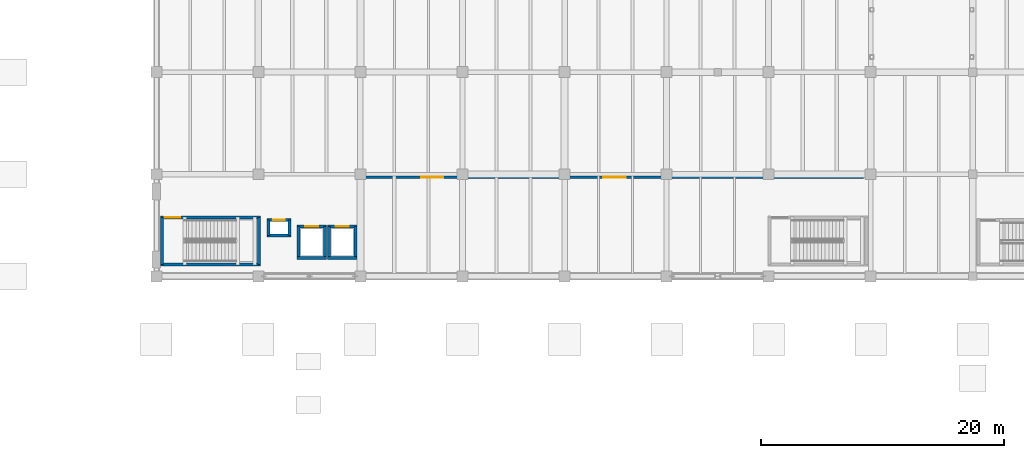
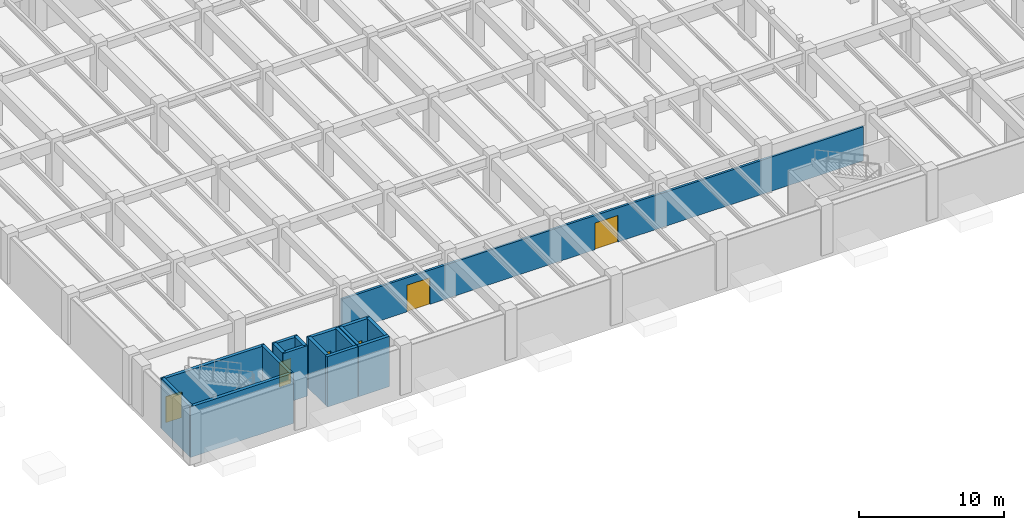
# One storey, part 34 of 63: 17 walls, 6 doors, 6 openings.
"""IFC4 building model written with IfcOpenShell, lengths in metres."""

from ifc_helpers import new_model, si_unit, direction, frame, frame_2d, origin, place, context, subcontext, project, spatial, rectangle, extrude, material, layer, layer_set, type_object, element, fill, save


model = new_model("IFC4")

# Units and contexts
model_context = context("Model", 3, precision=1e-05, world=origin(), true_north=direction((0.0, 1.0)))
body_context = subcontext(model_context, "Body", "Model", "MODEL_VIEW")
ifc_project = project(units=[si_unit("LENGTHUNIT", "METRE"), si_unit("AREAUNIT", "SQUARE_METRE"), si_unit("VOLUMEUNIT", "CUBIC_METRE"), si_unit("PLANEANGLEUNIT", "RADIAN"), si_unit("MASSUNIT", "GRAM", prefix="KILO")], contexts=[model_context])

# Site, building, storey
site_placement = place(None, origin())
site = spatial("IfcSite", under=ifc_project, at=site_placement, CompositionType="ELEMENT")
building_placement = place(site_placement, origin())
building = spatial("IfcBuilding", under=site, at=building_placement, Name="Cumbredor Promenade Congress Hotel", CompositionType="ELEMENT")
storey_placement = place(building_placement, frame((0.0, 0.0, -4.199951171875)))
storey = spatial("IfcBuildingStorey", under=building, at=storey_placement, Name="B01", CompositionType="ELEMENT", Elevation=-4.199951171875)

# Wall, openings, doors
ifc_material_1 = material(Name="Fire-rated hotel corridor wall")
ifc_layer_1 = layer(ifc_material_1, 0.179931640625, Name="Fire-rated hotel corridor wall")
ifc_layer_set_1 = layer_set([ifc_layer_1], Name="Fire-rated hotel corridor wall")
wall_type_1 = type_object("IfcWallType", Name="WL-CORR-180", PredefinedType="PARTITIONING", material=ifc_layer_set_1)
wall_1_placement = place(storey_placement, frame((25.0, 16.550048828125, 0.0), z_axis=(0.0, 0.0, 1.0), x_axis=(1.0, 0.0, 0.0)))
wall_1 = element("IfcWall", 1, at=wall_1_placement, inside=storey, type_object=wall_type_1, Name="B01 Interior Partition W-B01-01", PredefinedType="PARTITIONING", context=body_context, shape_type="SweptSolid", body=[
    extrude(rectangle(XDim=41.60009765625, YDim=0.179931640625, at=frame_2d((20.800048828125, 0.0))), origin(), (0.0, 0.0, 1.0), 2.885009765625),
])
opening_1_placement = place(wall_1_placement, frame((5.199951171875, 0.0, 0.0)))
opening_1 = element("IfcOpeningElement", 2, at=opening_1_placement, cuts=wall_1, Name="Opening FD-10", PredefinedType="OPENING", context=body_context, shape_type="SweptSolid", body=[
    extrude(rectangle(XDim=1.820068359375, YDim=2.25, at=frame_2d((0.91015625, 1.125))), frame((0.0, 0.10009765625, 0.0), z_axis=(0.0, -1.0, 0.0), x_axis=(1.0, 0.0, 0.0)), (0.0, 0.0, 1.0), 0.199951171875),
])
opening_2_placement = place(wall_1_placement, frame((20.199951171875, 0.0, 0.0)))
opening_2 = element("IfcOpeningElement", 3, at=opening_2_placement, cuts=wall_1, Name="Opening FD-10", PredefinedType="OPENING", context=body_context, shape_type="SweptSolid", body=[
    extrude(rectangle(XDim=1.820068359375, YDim=2.25, at=frame_2d((0.91015625, 1.125))), frame((0.0, 0.10009765625, 0.0), z_axis=(0.0, -1.0, 0.0), x_axis=(1.0, 0.0, 0.0)), (0.0, 0.0, 1.0), 0.199951171875),
])
ifc_material_2 = material(Name="Solid-core fire-rated tropical hardwood", Category="wood")
door_type_1 = type_object("IfcDoorType", Name="DR-DBL-FD60-1800", OperationType="DOUBLE_DOOR_SINGLE_SWING", PredefinedType="DOOR", material=ifc_material_2)
door_1_placement = place(opening_1_placement, origin())
door_1 = element("IfcDoor", 4, at=door_1_placement, inside=storey, type_object=door_type_1, Name="B01 Interior Door W-B01-01-01", OperationType="DOUBLE_DOOR_SINGLE_SWING", OverallHeight=2.25, OverallWidth=1.820068359375, PredefinedType="DOOR", context=body_context, shape_type="SweptSolid", body=[
    extrude(rectangle(XDim=1.820068359375, YDim=2.25, at=frame_2d((0.91015625, 1.125))), frame((0.0, 0.02490234375, 0.0), z_axis=(0.0, -1.0, 0.0), x_axis=(1.0, 0.0, 0.0)), (0.0, 0.0, 1.0), 0.050048828125),
])
fill(opening_1, door_1)
door_2_placement = place(opening_2_placement, origin())
door_2 = element("IfcDoor", 5, at=door_2_placement, inside=storey, type_object=door_type_1, Name="B01 Interior Door W-B01-01-02", OperationType="DOUBLE_DOOR_SINGLE_SWING", OverallHeight=2.25, OverallWidth=1.820068359375, PredefinedType="DOOR", context=body_context, shape_type="SweptSolid", body=[
    extrude(rectangle(XDim=1.820068359375, YDim=2.25, at=frame_2d((0.91015625, 1.125))), frame((0.0, 0.02490234375, 0.0), z_axis=(0.0, -1.0, 0.0), x_axis=(1.0, 0.0, 0.0)), (0.0, 0.0, 1.0), 0.050048828125),
])
fill(opening_2, door_2)

# Wall
ifc_material_3 = material(Name="Concrete C40/50", Category="concrete")
ifc_layer_2 = layer(ifc_material_3, 0.2548828125, Name="Concrete C40/50", Category="concrete")
ifc_layer_set_2 = layer_set([ifc_layer_2], Name="Concrete C40/50")
wall_type_2 = type_object("IfcWallType", Name="WL-SHAFT-250", PredefinedType="SOLIDWALL", material=ifc_layer_set_2)
wall_2_placement = place(storey_placement, frame((8.75244140625, 9.3798828125, -0.400146484375), z_axis=(0.0, 0.0, 1.0), x_axis=(1.0, 0.0, 0.0)))
element("IfcWall", 6, at=wall_2_placement, inside=storey, type_object=wall_type_2, Name="STAIR-ST-04-B01 Shaft Wall South", PredefinedType="SOLIDWALL", context=body_context, shape_type="SweptSolid", body=[
    extrude(rectangle(XDim=8.22509765625, YDim=0.2548828125, at=frame_2d((4.112548828125, 0.0))), origin(), (0.0, 0.0, 1.0), 4.25),
])

# Wall, opening, door
wall_3_placement = place(storey_placement, frame((8.75244140625, 13.25, -0.400146484375), z_axis=(0.0, 0.0, 1.0), x_axis=(1.0, 0.0, 0.0)))
wall_3 = element("IfcWall", 7, at=wall_3_placement, inside=storey, type_object=wall_type_2, Name="STAIR-ST-04-B01 Shaft Wall North", PredefinedType="SOLIDWALL", context=body_context, shape_type="SweptSolid", body=[
    extrude(rectangle(XDim=8.22509765625, YDim=0.2548828125, at=frame_2d((4.112548828125, 0.0))), origin(), (0.0, 0.0, 1.0), 4.25),
])
opening_3_placement = place(wall_3_placement, frame((0.35009765625, 0.0, 0.39990234375)))
opening_3 = element("IfcOpeningElement", 8, at=opening_3_placement, cuts=wall_3, Name="Opening SD-02", PredefinedType="OPENING", context=body_context, shape_type="SweptSolid", body=[
    extrude(rectangle(XDim=1.25, YDim=2.199951171875, at=frame_2d((0.625, 1.10009765625))), frame((0.0, 0.137451171875, 0.0), z_axis=(0.0, -1.0, 0.0), x_axis=(1.0, 0.0, 0.0)), (0.0, 0.0, 1.0), 0.27490234375),
])
ifc_material_4 = material(Name="Painted galvanized steel fire door", Category="steel")
door_type_2 = type_object("IfcDoorType", Name="DR-STAIR-FD90-1250", OperationType="NOTDEFINED", PredefinedType="DOOR", material=ifc_material_4)
door_3_placement = place(opening_3_placement, origin())
door_3 = element("IfcDoor", 9, at=door_3_placement, inside=storey, type_object=door_type_2, Name="B01 Protected Exit Stair ST-04 Door", OperationType="SINGLE_SWING_RIGHT", OverallHeight=2.199951171875, OverallWidth=1.25, PredefinedType="DOOR", context=body_context, shape_type="SweptSolid", body=[
    extrude(rectangle(XDim=1.25, YDim=2.199951171875, at=frame_2d((0.625, 1.10009765625))), frame((0.0, 0.02490234375, 0.0), z_axis=(0.0, -1.0, 0.0), x_axis=(1.0, 0.0, 0.0)), (0.0, 0.0, 1.0), 0.050048828125),
])
fill(opening_3, door_3)

# Walls
for number, where, z_axis, x_axis, name in (
    (10, (8.8798828125, 9.3798828125, -0.400146484375), (0.0, 0.0, 1.0), (0.0, 1.0, 0.0), "STAIR-ST-04-B01 Shaft Wall West"),
    (11, (16.85009765625, 9.3798828125, -0.400146484375), (0.0, 0.0, 1.0), (0.0, 1.0, 0.0), "STAIR-ST-04-B01 Shaft Wall East"),
):
    element("IfcWall", number, at=place(storey_placement, frame(where, z_axis=z_axis, x_axis=x_axis)), inside=storey, type_object=wall_type_2, Name=name, PredefinedType="SOLIDWALL", context=body_context, shape_type="SweptSolid", body=[
        extrude(rectangle(XDim=3.8701171875, YDim=0.2548828125, at=frame_2d((1.93505859375, 0.0))), origin(), (0.0, 0.0, 1.0), 4.25),
    ])
wall_4_placement = place(storey_placement, frame((19.972412109375, 9.89990234375, -0.400146484375), z_axis=(0.0, 0.0, 1.0), x_axis=(1.0, 0.0, 0.0)))
element("IfcWall", 12, at=wall_4_placement, inside=storey, type_object=wall_type_2, Name="SHAFT-PL-05-B01 Shaft Wall South", PredefinedType="SOLIDWALL", context=body_context, shape_type="SweptSolid", body=[
    extrude(rectangle(XDim=2.455078125, YDim=0.2548828125, at=frame_2d((1.2275390625, 0.0))), origin(), (0.0, 0.0, 1.0), 4.25),
])

# Wall, opening, door
wall_5_placement = place(storey_placement, frame((19.972412109375, 12.5, -0.400146484375), z_axis=(0.0, 0.0, 1.0), x_axis=(1.0, 0.0, 0.0)))
wall_5 = element("IfcWall", 13, at=wall_5_placement, inside=storey, type_object=wall_type_2, Name="SHAFT-PL-05-B01 Shaft Wall North", PredefinedType="SOLIDWALL", context=body_context, shape_type="SweptSolid", body=[
    extrude(rectangle(XDim=2.455078125, YDim=0.2548828125, at=frame_2d((1.2275390625, 0.0))), origin(), (0.0, 0.0, 1.0), 4.25),
])
opening_4_placement = place(wall_5_placement, frame((0.677490234375, 0.0, 0.39990234375)))
opening_4 = element("IfcOpeningElement", 14, at=opening_4_placement, cuts=wall_5, Name="Opening LD-01", PredefinedType="OPENING", context=body_context, shape_type="SweptSolid", body=[
    extrude(rectangle(XDim=1.10009765625, YDim=2.14990234375, at=frame_2d((0.550048828125, 1.074951171875))), frame((0.0, 0.137451171875, 0.0), z_axis=(0.0, -1.0, 0.0), x_axis=(1.0, 0.0, 0.0)), (0.0, 0.0, 1.0), 0.27490234375),
])
ifc_material_5 = material(Name="Brushed stainless steel", Category="steel")
door_type_3 = type_object("IfcDoorType", Name="Lift Landing Sliding Door LD-01 1100x2150", OperationType="DOUBLE_DOOR_SLIDING", PredefinedType="DOOR", material=ifc_material_5)
door_4_placement = place(opening_4_placement, origin())
door_4 = element("IfcDoor", 15, at=door_4_placement, inside=storey, type_object=door_type_3, Name="B01 Plenary Passenger Lift PL-05 Sliding Landing Door", OperationType="DOUBLE_DOOR_SLIDING", OverallHeight=2.14990234375, OverallWidth=1.10009765625, PredefinedType="DOOR", context=body_context, shape_type="SweptSolid", body=[
    extrude(rectangle(XDim=1.10009765625, YDim=2.14990234375, at=frame_2d((0.550048828125, 1.074951171875))), frame((0.0, 0.02490234375, 0.0), z_axis=(0.0, -1.0, 0.0), x_axis=(1.0, 0.0, 0.0)), (0.0, 0.0, 1.0), 0.050048828125),
])
fill(opening_4, door_4)

# Walls
for number, where, z_axis, x_axis, name in (
    (16, (20.10009765625, 9.89990234375, -0.400146484375), (0.0, 0.0, 1.0), (0.0, 1.0, 0.0), "SHAFT-PL-05-B01 Shaft Wall West"),
    (17, (22.300048828125, 9.89990234375, -0.400146484375), (0.0, 0.0, 1.0), (0.0, 1.0, 0.0), "SHAFT-PL-05-B01 Shaft Wall East"),
):
    element("IfcWall", number, at=place(storey_placement, frame(where, z_axis=z_axis, x_axis=x_axis)), inside=storey, type_object=wall_type_2, Name=name, PredefinedType="SOLIDWALL", context=body_context, shape_type="SweptSolid", body=[
        extrude(rectangle(XDim=2.60009765625, YDim=0.2548828125, at=frame_2d((1.300048828125, 0.0))), origin(), (0.0, 0.0, 1.0), 4.25),
    ])
wall_6_placement = place(storey_placement, frame((22.472412109375, 9.89990234375, -0.400146484375), z_axis=(0.0, 0.0, 1.0), x_axis=(1.0, 0.0, 0.0)))
element("IfcWall", 18, at=wall_6_placement, inside=storey, type_object=wall_type_2, Name="SHAFT-PL-06-B01 Shaft Wall South", PredefinedType="SOLIDWALL", context=body_context, shape_type="SweptSolid", body=[
    extrude(rectangle(XDim=2.455078125, YDim=0.2548828125, at=frame_2d((1.2275390625, 0.0))), origin(), (0.0, 0.0, 1.0), 4.25),
])

# Wall, opening, door
wall_7_placement = place(storey_placement, frame((22.472412109375, 12.5, -0.400146484375), z_axis=(0.0, 0.0, 1.0), x_axis=(1.0, 0.0, 0.0)))
wall_7 = element("IfcWall", 19, at=wall_7_placement, inside=storey, type_object=wall_type_2, Name="SHAFT-PL-06-B01 Shaft Wall North", PredefinedType="SOLIDWALL", context=body_context, shape_type="SweptSolid", body=[
    extrude(rectangle(XDim=2.455078125, YDim=0.2548828125, at=frame_2d((1.2275390625, 0.0))), origin(), (0.0, 0.0, 1.0), 4.25),
])
opening_5_placement = place(wall_7_placement, frame((0.677490234375, 0.0, 0.39990234375)))
opening_5 = element("IfcOpeningElement", 20, at=opening_5_placement, cuts=wall_7, Name="Opening LD-01", PredefinedType="OPENING", context=body_context, shape_type="SweptSolid", body=[
    extrude(rectangle(XDim=1.10009765625, YDim=2.14990234375, at=frame_2d((0.550048828125, 1.074951171875))), frame((0.0, 0.137451171875, 0.0), z_axis=(0.0, -1.0, 0.0), x_axis=(1.0, 0.0, 0.0)), (0.0, 0.0, 1.0), 0.27490234375),
])
door_5_placement = place(opening_5_placement, origin())
door_5 = element("IfcDoor", 21, at=door_5_placement, inside=storey, type_object=door_type_3, Name="B01 Plenary Passenger Lift PL-06 Sliding Landing Door", OperationType="DOUBLE_DOOR_SLIDING", OverallHeight=2.14990234375, OverallWidth=1.10009765625, PredefinedType="DOOR", context=body_context, shape_type="SweptSolid", body=[
    extrude(rectangle(XDim=1.10009765625, YDim=2.14990234375, at=frame_2d((0.550048828125, 1.074951171875))), frame((0.0, 0.02490234375, 0.0), z_axis=(0.0, -1.0, 0.0), x_axis=(1.0, 0.0, 0.0)), (0.0, 0.0, 1.0), 0.050048828125),
])
fill(opening_5, door_5)

# Walls
for number, where, z_axis, x_axis, name in (
    (22, (22.60009765625, 9.89990234375, -0.400146484375), (0.0, 0.0, 1.0), (0.0, 1.0, 0.0), "SHAFT-PL-06-B01 Shaft Wall West"),
    (23, (24.800048828125, 9.89990234375, -0.400146484375), (0.0, 0.0, 1.0), (0.0, 1.0, 0.0), "SHAFT-PL-06-B01 Shaft Wall East"),
):
    element("IfcWall", number, at=place(storey_placement, frame(where, z_axis=z_axis, x_axis=x_axis)), inside=storey, type_object=wall_type_2, Name=name, PredefinedType="SOLIDWALL", context=body_context, shape_type="SweptSolid", body=[
        extrude(rectangle(XDim=2.60009765625, YDim=0.2548828125, at=frame_2d((1.300048828125, 0.0))), origin(), (0.0, 0.0, 1.0), 4.25),
    ])
wall_8_placement = place(storey_placement, frame((17.5224609375, 11.75, -0.400146484375), z_axis=(0.0, 0.0, 1.0), x_axis=(1.0, 0.0, 0.0)))
element("IfcWall", 24, at=wall_8_placement, inside=storey, type_object=wall_type_2, Name="RISER-MEP-R2-B01 Shaft Wall South", PredefinedType="SOLIDWALL", context=body_context, shape_type="SweptSolid", body=[
    extrude(rectangle(XDim=1.955078125, YDim=0.2548828125, at=frame_2d((0.9775390625, 0.0))), origin(), (0.0, 0.0, 1.0), 4.25),
])

# Wall, opening, door
wall_9_placement = place(storey_placement, frame((17.5224609375, 13.050048828125, -0.400146484375), z_axis=(0.0, 0.0, 1.0), x_axis=(1.0, 0.0, 0.0)))
wall_9 = element("IfcWall", 25, at=wall_9_placement, inside=storey, type_object=wall_type_2, Name="RISER-MEP-R2-B01 Shaft Wall North", PredefinedType="SOLIDWALL", context=body_context, shape_type="SweptSolid", body=[
    extrude(rectangle(XDim=1.955078125, YDim=0.2548828125, at=frame_2d((0.9775390625, 0.0))), origin(), (0.0, 0.0, 1.0), 4.25),
])
opening_6_placement = place(wall_9_placement, frame((0.507568359375, 0.0, 0.39990234375)))
opening_6 = element("IfcOpeningElement", 26, at=opening_6_placement, cuts=wall_9, Name="Opening FD-03", PredefinedType="OPENING", context=body_context, shape_type="SweptSolid", body=[
    extrude(rectangle(XDim=0.93994140625, YDim=2.10009765625, at=frame_2d((0.469970703125, 1.050048828125))), frame((0.0, 0.137451171875, 0.0), z_axis=(0.0, -1.0, 0.0), x_axis=(1.0, 0.0, 0.0)), (0.0, 0.0, 1.0), 0.27490234375),
])
door_type_4 = type_object("IfcDoorType", Name="DR-SGL-FD60-950", OperationType="NOTDEFINED", PredefinedType="DOOR", material=ifc_material_4)
door_6_placement = place(opening_6_placement, origin())
door_6 = element("IfcDoor", 27, at=door_6_placement, inside=storey, type_object=door_type_4, Name="B01 Plenary MEP Riser Shaft R2 Access Door", OperationType="SINGLE_SWING_LEFT", OverallHeight=2.10009765625, OverallWidth=0.93994140625, PredefinedType="DOOR", context=body_context, shape_type="SweptSolid", body=[
    extrude(rectangle(XDim=0.93994140625, YDim=2.10009765625, at=frame_2d((0.469970703125, 1.050048828125))), frame((0.0, 0.02490234375, 0.0), z_axis=(0.0, -1.0, 0.0), x_axis=(1.0, 0.0, 0.0)), (0.0, 0.0, 1.0), 0.050048828125),
])
fill(opening_6, door_6)

# Walls
for number, where, z_axis, x_axis, name in (
    (28, (17.64990234375, 11.75, -0.400146484375), (0.0, 0.0, 1.0), (0.0, 1.0, 0.0), "RISER-MEP-R2-B01 Shaft Wall West"),
    (29, (19.35009765625, 11.75, -0.400146484375), (0.0, 0.0, 1.0), (0.0, 1.0, 0.0), "RISER-MEP-R2-B01 Shaft Wall East"),
):
    element("IfcWall", number, at=place(storey_placement, frame(where, z_axis=z_axis, x_axis=x_axis)), inside=storey, type_object=wall_type_2, Name=name, PredefinedType="SOLIDWALL", context=body_context, shape_type="SweptSolid", body=[
        extrude(rectangle(XDim=1.300048828125, YDim=0.2548828125, at=frame_2d((0.64990234375, 0.0))), origin(), (0.0, 0.0, 1.0), 4.25),
    ])

save(model, "model.ifc")
